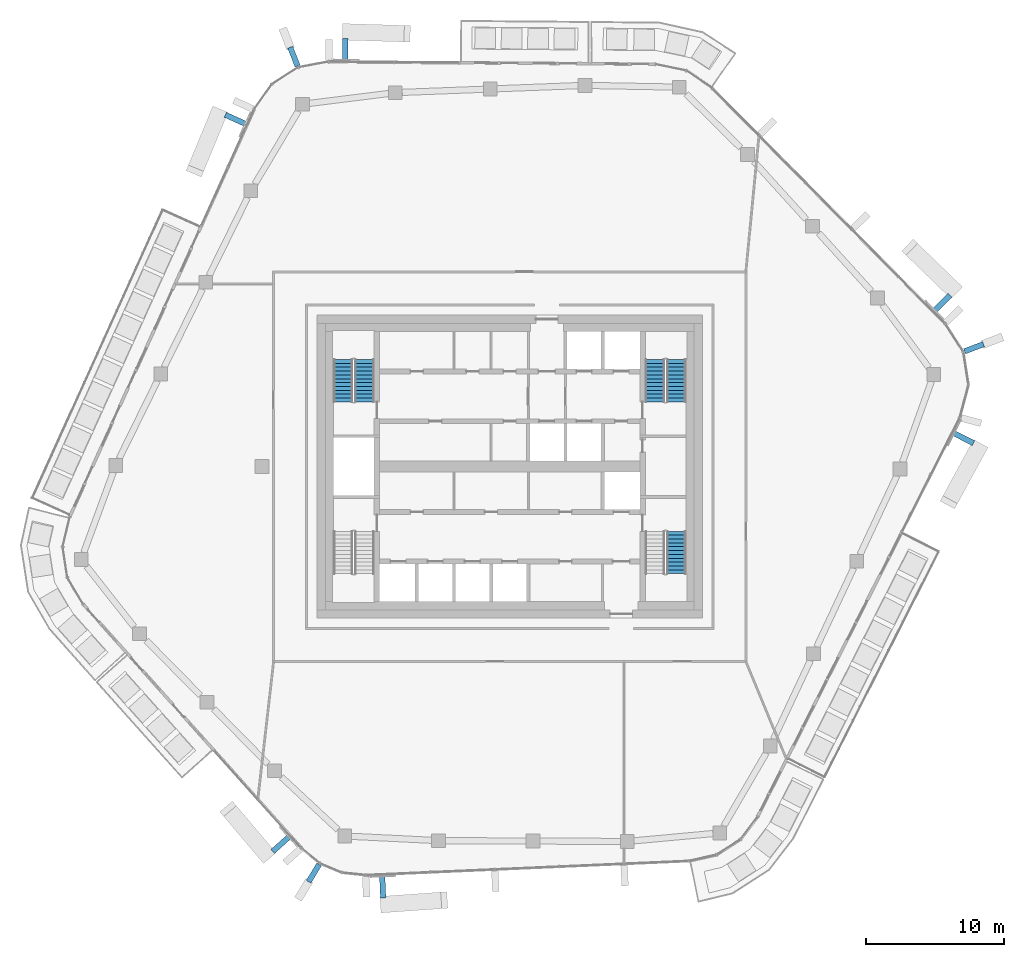
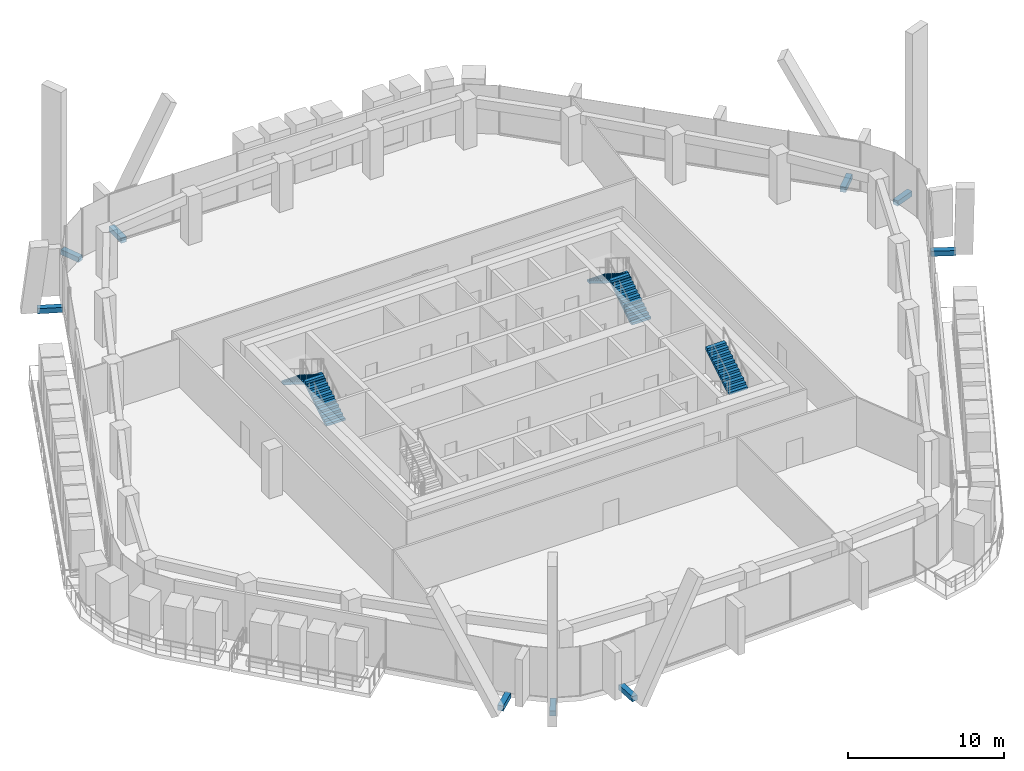
# One storey, part 16 of 23: 9 discrete accessories, 5 stair flights, 3 elements without a shape of their own.
"""IFC4 building model written with IfcOpenShell, lengths in metres."""

from ifc_helpers import new_model, si_unit, direction, frame, origin, origin_2d, place, context, subcontext, project, spatial, polyline, rectangle, outline, extrude, material, layer, layer_set, type_object, element, aggregate, save


model = new_model("IFC4")

# Units and contexts
model_context = context("Model", 3, precision=1e-05, world=origin(), true_north=direction((0.0, 1.0)))
body_context = subcontext(model_context, "Body", "Model", "MODEL_VIEW")
ifc_project = project(units=[si_unit("LENGTHUNIT", "METRE"), si_unit("AREAUNIT", "SQUARE_METRE"), si_unit("VOLUMEUNIT", "CUBIC_METRE"), si_unit("PLANEANGLEUNIT", "RADIAN"), si_unit("MASSUNIT", "GRAM", prefix="KILO")], contexts=[model_context])

# Site, building, storey
site_placement = place(None, origin())
site = spatial("IfcSite", under=ifc_project, at=site_placement, CompositionType="ELEMENT")
building_placement = place(site_placement, origin())
building = spatial("IfcBuilding", under=site, at=building_placement, Name="Dongbaek Canopy Tower", CompositionType="ELEMENT")
storey_placement = place(building_placement, frame((0.0, 0.0, 319.39990234375)))
storey = spatial("IfcBuildingStorey", under=building, at=storey_placement, Name="L68", CompositionType="ELEMENT", Elevation=319.39990234375)

# Stair, stair flights
ifc_material_1 = material(Name="Concrete C40/50", Category="concrete")
stair_type = type_object("IfcStairType", Name="Core exit stair", PredefinedType="HALF_TURN_STAIR", material=ifc_material_1)
stair_1_placement = place(storey_placement, origin())
stair_1 = element("IfcStair", 1, at=stair_1_placement, inside=storey, type_object=stair_type, Name="L68 exit stair A", PredefinedType="HALF_TURN_STAIR")
ifc_material_2 = material(Name="Concrete C40/50", Category="concrete")
ifc_layer = layer(ifc_material_2, 0.14990234375)
ifc_layer_set = layer_set([ifc_layer], Name="Core stair flight 150 waist")
stair_flight_type = type_object("IfcStairFlightType", Name="Core stair flight 150 waist", PredefinedType="STRAIGHT", material=ifc_layer_set)
stair_flight_1_placement = place(storey_placement, frame((12.10009765625, 4.699951171875, 0.0), z_axis=(0.0, 0.0, 1.0), x_axis=(0.0, 1.0, 0.0)))
stair_flight_1 = element("IfcStairFlight", 2, at=stair_flight_1_placement, type_object=stair_flight_type, Name="ST-A flight 1", NumberOfRisers=12, NumberOfTreads=11, PredefinedType="STRAIGHT", RiserHeight=0.175, TreadLength=0.28, context=body_context, shape_type="SweptSolid", body=[
    extrude(outline(polyline([(0.0, 0.0), (0.0, 0.175048828125), (0.280029296875, 0.175048828125), (0.280029296875, 0.35009765625), (0.56005859375, 0.35009765625), (0.56005859375, 0.52490234375), (0.840087890625, 0.52490234375), (0.840087890625, 0.699951171875), (1.1201171875, 0.699951171875), (1.1201171875, 0.875), (1.39990234375, 0.875), (1.39990234375, 1.050048828125), (1.679931640625, 1.050048828125), (1.679931640625, 1.22509765625), (1.9599609375, 1.22509765625), (1.9599609375, 1.39990234375), (2.239990234375, 1.39990234375), (2.239990234375, 1.574951171875), (2.52001953125, 1.574951171875), (2.52001953125, 1.75), (2.800048828125, 1.75), (2.800048828125, 1.925048828125), (3.080078125, 1.925048828125), (3.080078125, 2.10009765625), (3.080078125, 1.748291015625), (0.28271484375, 0.0), (0.0, 0.0)])), frame((0.0, 0.699951171875, 0.0), z_axis=(0.0, -1.0, 0.0), x_axis=(1.0, 0.0, 0.0)), (0.0, 0.0, 1.0), 1.39990234375),
])
stair_flight_2_placement = place(storey_placement, frame((10.550048828125, 7.780029296875, 2.10009765625), z_axis=(0.0, 0.0, 1.0), x_axis=(0.0, -1.0, 0.0)))
stair_flight_2 = element("IfcStairFlight", 3, at=stair_flight_2_placement, type_object=stair_flight_type, Name="ST-A flight 2", NumberOfRisers=12, NumberOfTreads=11, PredefinedType="STRAIGHT", RiserHeight=0.175, TreadLength=0.28, context=body_context, shape_type="SweptSolid", body=[
    extrude(outline(polyline([(0.0, 0.0), (0.0, 0.175048828125), (0.280029296875, 0.175048828125), (0.280029296875, 0.35009765625), (0.56005859375, 0.35009765625), (0.56005859375, 0.52490234375), (0.840087890625, 0.52490234375), (0.840087890625, 0.699951171875), (1.1201171875, 0.699951171875), (1.1201171875, 0.875), (1.39990234375, 0.875), (1.39990234375, 1.050048828125), (1.679931640625, 1.050048828125), (1.679931640625, 1.22509765625), (1.9599609375, 1.22509765625), (1.9599609375, 1.39990234375), (2.239990234375, 1.39990234375), (2.239990234375, 1.574951171875), (2.52001953125, 1.574951171875), (2.52001953125, 1.75), (2.800048828125, 1.75), (2.800048828125, 1.925048828125), (3.080078125, 1.925048828125), (3.080078125, 2.10009765625), (3.080078125, 1.748291015625), (0.28271484375, 0.0), (0.0, 0.0)])), frame((0.0, 0.699951171875, 0.0), z_axis=(0.0, -1.0, 0.0), x_axis=(1.0, 0.0, 0.0)), (0.0, 0.0, 1.0), 1.39990234375),
])
aggregate(stair_1, [stair_flight_1, stair_flight_2])

stair_2_placement = place(storey_placement, origin())
stair_2 = element("IfcStair", 4, at=stair_2_placement, inside=storey, type_object=stair_type, Name="L68 exit stair C", PredefinedType="HALF_TURN_STAIR")
stair_flight_3_placement = place(storey_placement, frame((-10.550048828125, 4.699951171875, 0.0), z_axis=(0.0, 0.0, 1.0), x_axis=(0.0, 1.0, 0.0)))
stair_flight_3 = element("IfcStairFlight", 5, at=stair_flight_3_placement, type_object=stair_flight_type, Name="ST-C flight 1", NumberOfRisers=12, NumberOfTreads=11, PredefinedType="STRAIGHT", RiserHeight=0.175, TreadLength=0.28, context=body_context, shape_type="SweptSolid", body=[
    extrude(outline(polyline([(0.0, 0.0), (0.0, 0.175048828125), (0.280029296875, 0.175048828125), (0.280029296875, 0.35009765625), (0.56005859375, 0.35009765625), (0.56005859375, 0.52490234375), (0.840087890625, 0.52490234375), (0.840087890625, 0.699951171875), (1.1201171875, 0.699951171875), (1.1201171875, 0.875), (1.39990234375, 0.875), (1.39990234375, 1.050048828125), (1.679931640625, 1.050048828125), (1.679931640625, 1.22509765625), (1.9599609375, 1.22509765625), (1.9599609375, 1.39990234375), (2.239990234375, 1.39990234375), (2.239990234375, 1.574951171875), (2.52001953125, 1.574951171875), (2.52001953125, 1.75), (2.800048828125, 1.75), (2.800048828125, 1.925048828125), (3.080078125, 1.925048828125), (3.080078125, 2.10009765625), (3.080078125, 1.748291015625), (0.28271484375, 0.0), (0.0, 0.0)])), frame((0.0, 0.699951171875, 0.0), z_axis=(0.0, -1.0, 0.0), x_axis=(1.0, 0.0, 0.0)), (0.0, 0.0, 1.0), 1.39990234375),
])
stair_flight_4_placement = place(storey_placement, frame((-12.10009765625, 7.780029296875, 2.10009765625), z_axis=(0.0, 0.0, 1.0), x_axis=(0.0, -1.0, 0.0)))
stair_flight_4 = element("IfcStairFlight", 6, at=stair_flight_4_placement, type_object=stair_flight_type, Name="ST-C flight 2", NumberOfRisers=12, NumberOfTreads=11, PredefinedType="STRAIGHT", RiserHeight=0.175, TreadLength=0.28, context=body_context, shape_type="SweptSolid", body=[
    extrude(outline(polyline([(0.0, 0.0), (0.0, 0.175048828125), (0.280029296875, 0.175048828125), (0.280029296875, 0.35009765625), (0.56005859375, 0.35009765625), (0.56005859375, 0.52490234375), (0.840087890625, 0.52490234375), (0.840087890625, 0.699951171875), (1.1201171875, 0.699951171875), (1.1201171875, 0.875), (1.39990234375, 0.875), (1.39990234375, 1.050048828125), (1.679931640625, 1.050048828125), (1.679931640625, 1.22509765625), (1.9599609375, 1.22509765625), (1.9599609375, 1.39990234375), (2.239990234375, 1.39990234375), (2.239990234375, 1.574951171875), (2.52001953125, 1.574951171875), (2.52001953125, 1.75), (2.800048828125, 1.75), (2.800048828125, 1.925048828125), (3.080078125, 1.925048828125), (3.080078125, 2.10009765625), (3.080078125, 1.748291015625), (0.28271484375, 0.0), (0.0, 0.0)])), frame((0.0, 0.699951171875, 0.0), z_axis=(0.0, -1.0, 0.0), x_axis=(1.0, 0.0, 0.0)), (0.0, 0.0, 1.0), 1.39990234375),
])
aggregate(stair_2, [stair_flight_3, stair_flight_4])

# Stair, stair flight
stair_3_placement = place(storey_placement, origin())
stair_3 = element("IfcStair", 7, at=stair_3_placement, inside=storey, type_object=stair_type, Name="L68 exit stair B", PredefinedType="HALF_TURN_STAIR")
stair_flight_5_placement = place(storey_placement, frame((12.10009765625, -7.780029296875, 2.10009765625), z_axis=(0.0, 0.0, 1.0), x_axis=(0.0, 1.0, 0.0)))
stair_flight_5 = element("IfcStairFlight", 8, at=stair_flight_5_placement, type_object=stair_flight_type, Name="ST-B flight 2", NumberOfRisers=12, NumberOfTreads=11, PredefinedType="STRAIGHT", RiserHeight=0.175, TreadLength=0.28, context=body_context, shape_type="SweptSolid", body=[
    extrude(outline(polyline([(0.0, 0.0), (0.0, 0.175048828125), (0.280029296875, 0.175048828125), (0.280029296875, 0.35009765625), (0.56005859375, 0.35009765625), (0.56005859375, 0.52490234375), (0.840087890625, 0.52490234375), (0.840087890625, 0.699951171875), (1.1201171875, 0.699951171875), (1.1201171875, 0.875), (1.39990234375, 0.875), (1.39990234375, 1.050048828125), (1.679931640625, 1.050048828125), (1.679931640625, 1.22509765625), (1.9599609375, 1.22509765625), (1.9599609375, 1.39990234375), (2.239990234375, 1.39990234375), (2.239990234375, 1.574951171875), (2.52001953125, 1.574951171875), (2.52001953125, 1.75), (2.800048828125, 1.75), (2.800048828125, 1.925048828125), (3.080078125, 1.925048828125), (3.080078125, 2.10009765625), (3.080078125, 1.748291015625), (0.28271484375, 0.0), (0.0, 0.0)])), frame((0.0, 0.699951171875, 0.0), z_axis=(0.0, -1.0, 0.0), x_axis=(1.0, 0.0, 0.0)), (0.0, 0.0, 1.0), 1.39990234375),
])
aggregate(stair_3, [stair_flight_5])

# Discrete accessories
ifc_material_3 = material(Name="Galvanised steel S355 bracket", Category="steel")
discrete_accessory_type = type_object("IfcDiscreteAccessoryType", Name="Crease fin bracket BR3 400", PredefinedType="BRACKET", material=ifc_material_3)
discrete_accessory_1_placement = place(storey_placement, frame((32.9580078125, 2.074951171875, -0.389892578125), z_axis=(0.0, 0.0, 1.0), x_axis=(0.892033512775, -0.451969260113, 0.0)))
element("IfcDiscreteAccessory", 9, at=discrete_accessory_1_placement, inside=storey, type_object=discrete_accessory_type, Name="Crease fin bracket L68 F5", PredefinedType="BRACKET", context=body_context, shape_type="SweptSolid", body=[
    extrude(rectangle(XDim=1.6279296875, YDim=0.39990234375, at=origin_2d()), origin(), (0.0, 0.0, 1.0), 0.39990234375),
])
discrete_accessory_2_placement = place(storey_placement, frame((31.407958984375, 11.877685546875, -0.389892578125), z_axis=(0.0, 0.0, 1.0), x_axis=(0.711035143787, 0.703156472132, 0.0)))
element("IfcDiscreteAccessory", 10, at=discrete_accessory_2_placement, inside=storey, type_object=discrete_accessory_type, Name="Crease fin bracket L68 F0", PredefinedType="BRACKET", context=body_context, shape_type="SweptSolid", body=[
    extrude(rectangle(XDim=1.5888671875, YDim=0.39990234375, at=origin_2d()), origin(), (0.0, 0.0, 1.0), 0.39990234375),
])
discrete_accessory_3_placement = place(storey_placement, frame((-11.938232421875, 30.302001953125, -0.389892578125), z_axis=(0.0, 0.0, 1.0), x_axis=(0.007782344576, 0.999969717098, 0.0)))
element("IfcDiscreteAccessory", 11, at=discrete_accessory_3_placement, inside=storey, type_object=discrete_accessory_type, Name="Crease fin bracket L68 F1", PredefinedType="BRACKET", context=body_context, shape_type="SweptSolid", body=[
    extrude(rectangle(XDim=1.593017578125, YDim=0.39990234375, at=origin_2d()), origin(), (0.0, 0.0, 1.0), 0.39990234375),
])
discrete_accessory_4_placement = place(storey_placement, frame((-19.913818359375, 25.218505859375, -0.389892578125), z_axis=(0.0, 0.0, 1.0), x_axis=(-0.911128710978, 0.41212191404, 0.0)))
element("IfcDiscreteAccessory", 12, at=discrete_accessory_4_placement, inside=storey, type_object=discrete_accessory_type, Name="Crease fin bracket L68 F2", PredefinedType="BRACKET", context=body_context, shape_type="SweptSolid", body=[
    extrude(rectangle(XDim=1.63720703125, YDim=0.39990234375, at=origin_2d()), origin(), (0.0, 0.0, 1.0), 0.39990234375),
])
discrete_accessory_5_placement = place(storey_placement, frame((-16.6123046875, -27.411376953125, -0.389892578125), z_axis=(0.0, 0.0, 1.0), x_axis=(-0.74516531268, -0.666879791851, 0.0)))
element("IfcDiscreteAccessory", 13, at=discrete_accessory_5_placement, inside=storey, type_object=discrete_accessory_type, Name="Crease fin bracket L68 F3", PredefinedType="BRACKET", context=body_context, shape_type="SweptSolid", body=[
    extrude(rectangle(XDim=1.614013671875, YDim=0.39990234375, at=origin_2d()), origin(), (0.0, 0.0, 1.0), 0.39990234375),
])
discrete_accessory_6_placement = place(storey_placement, frame((-9.22900390625, -30.51953125, -0.389892578125), z_axis=(0.0, 0.0, 1.0), x_axis=(0.043572308279, -0.999050275988, 0.0)))
element("IfcDiscreteAccessory", 14, at=discrete_accessory_6_placement, inside=storey, type_object=discrete_accessory_type, Name="Crease fin bracket L68 F4", PredefinedType="BRACKET", context=body_context, shape_type="SweptSolid", body=[
    extrude(rectangle(XDim=1.60888671875, YDim=0.39990234375, at=origin_2d()), origin(), (0.0, 0.0, 1.0), 0.39990234375),
])
for number, where, z_axis, x_axis, name in (
    (15, (33.7236328125, 8.63330078125, -0.389892578125), (0.0, 0.0, 1.0), (0.93463651149, 0.355604543544, 0.0), "Corner fin bracket L68 K0"),
    (16, (-15.6787109375, 29.777587890625, -0.389892578125), (0.0, 0.0, 1.0), (-0.367962270469, 0.929840721582, 0.0), "Corner fin bracket L68 K2"),
    (17, (-14.2294921875, -29.52978515625, -0.389892578125), (0.0, 0.0, 1.0), (-0.519267057557, -0.854612030652, 0.0), "Corner fin bracket L68 K4"),
):
    element("IfcDiscreteAccessory", number, at=place(storey_placement, frame(where, z_axis=z_axis, x_axis=x_axis)), inside=storey, type_object=discrete_accessory_type, Name=name, PredefinedType="BRACKET", context=body_context, shape_type="SweptSolid", body=[
        extrude(rectangle(XDim=1.469970703125, YDim=0.39990234375, at=origin_2d()), origin(), (0.0, 0.0, 1.0), 0.39990234375),
    ])

save(model, "model.ifc")
